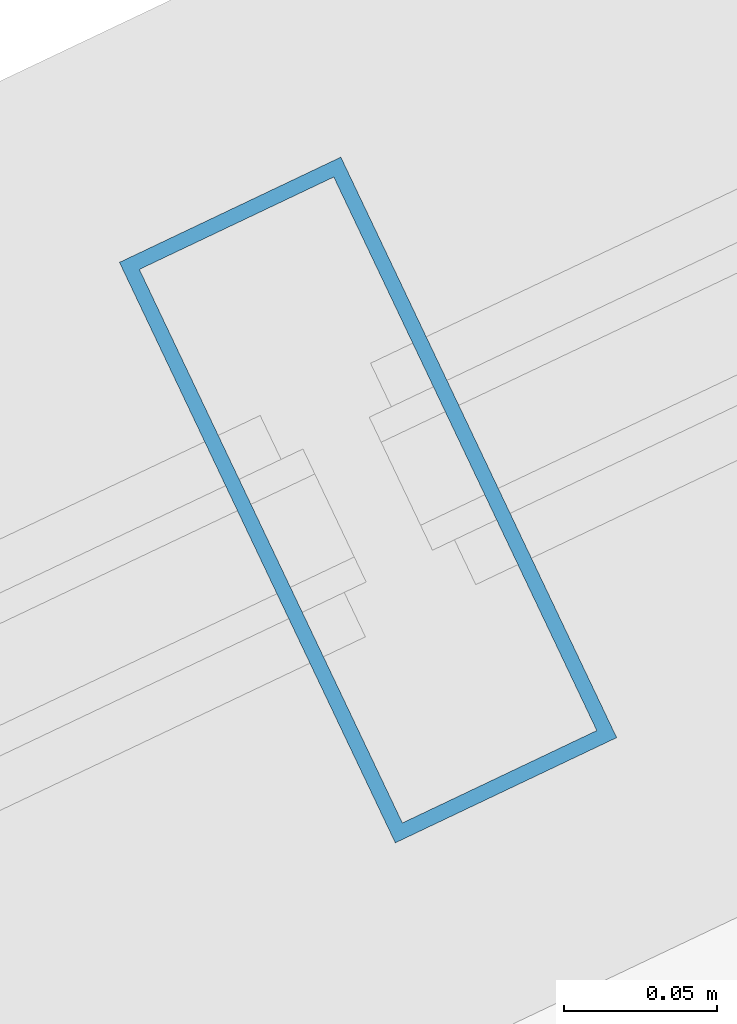
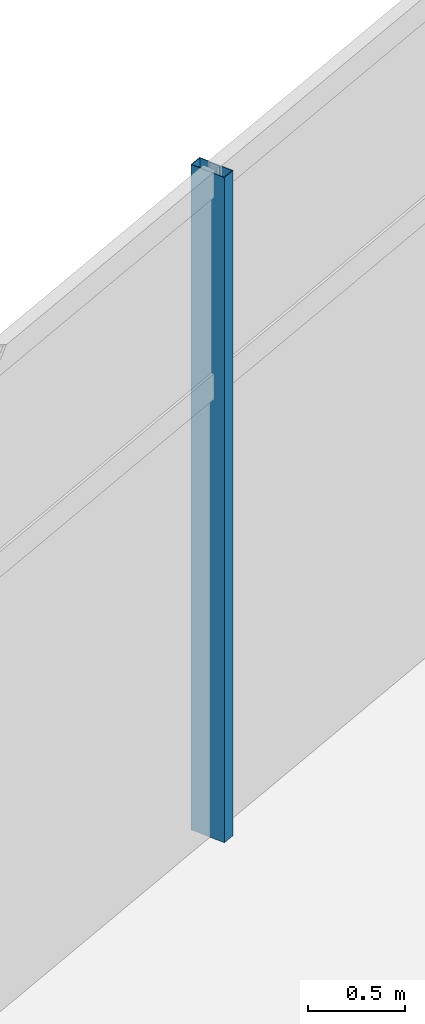
# One storey, part 102 of 184: 1 member, 1 element without a shape of its own.
"""IFC4 building model written with IfcOpenShell, lengths in metres."""

from ifc_helpers import new_model, si_unit, direction, frame, origin, origin_2d, place, context, subcontext, project, spatial, hollow_rectangle, extrude, material, layer, layer_set, material_profile, profile_set, type_object, element, aggregate, save


model = new_model("IFC4")

# Units and contexts
model_context = context("Model", 3, precision=1e-05, world=origin(), true_north=direction((0.0, 1.0)))
body_context = subcontext(model_context, "Body", "Model", "MODEL_VIEW")
ifc_project = project(units=[si_unit("LENGTHUNIT", "METRE"), si_unit("AREAUNIT", "SQUARE_METRE"), si_unit("VOLUMEUNIT", "CUBIC_METRE"), si_unit("PLANEANGLEUNIT", "RADIAN"), si_unit("MASSUNIT", "GRAM", prefix="KILO")], contexts=[model_context])

# Site, building, storey
site_placement = place(None, origin())
site = spatial("IfcSite", under=ifc_project, at=site_placement, CompositionType="ELEMENT")
building_placement = place(site_placement, origin())
building = spatial("IfcBuilding", under=site, at=building_placement, Name="Kazemori Nagisa Stadium", CompositionType="ELEMENT")
storey_placement = place(building_placement, frame((0.0, 0.0, 10.5400390625)))
storey = spatial("IfcBuildingStorey", under=building, at=storey_placement, Name="L02", CompositionType="ELEMENT", Elevation=10.5400390625)

# Curtain wall, member
ifc_material_1 = material(Name="Anodised aluminium 6063-T5", Category="aluminium")
ifc_layer = layer(ifc_material_1, 0.2099609375, Name="Anodised aluminium 6063-T5", Category="aluminium")
ifc_layer_set = layer_set([ifc_layer], Name="Anodised aluminium 6063-T5")
curtain_wall_type = type_object("IfcCurtainWallType", Name="CW_L02R3_105", PredefinedType="USERDEFINED", material=ifc_layer_set)
curtain_wall_placement = place(storey_placement, origin())
curtain_wall = element("IfcCurtainWall", 1, at=curtain_wall_placement, inside=storey, type_object=curtain_wall_type, Name="Unitised curtain wall CW-L02R3-105 L02", ObjectType="UNITISED CURTAIN WALL", PredefinedType="USERDEFINED")
ifc_material_2 = material(Name="Aluminium 6063-T5 anodised", Category="aluminium")
ifc_material_profile = material_profile(ifc_material_2, hollow_rectangle(XDim=0.080078125, YDim=0.2099609375, WallThickness=0.0048828125, at=origin_2d()), Name="ALU-MULL-80x210x5")
ifc_profile_set = profile_set([ifc_material_profile], Name="Aluminium 6063-T5 anodised")
member_type = type_object("IfcMemberType", Name="Mullion_M02", PredefinedType="MULLION", material=ifc_profile_set)
member_placement = place(storey_placement, frame((67.142822265625, 176.261962890625, 0.0), z_axis=(0.0, 0.0, 1.0), x_axis=(-0.903215892654, -0.429186499388, 0.0)))
member = element("IfcMember", 2, at=member_placement, type_object=member_type, Name="Curtain wall mullion CW-L02R3-105-M3", PredefinedType="MULLION", context=body_context, shape_type="SweptSolid", body=[
    extrude(hollow_rectangle(XDim=0.080078125, YDim=0.2099609375, WallThickness=0.0048828125, at=origin_2d()), origin(), (0.0, 0.0, 1.0), 4.18994140625),
])
aggregate(curtain_wall, [member])

save(model, "model.ifc")
